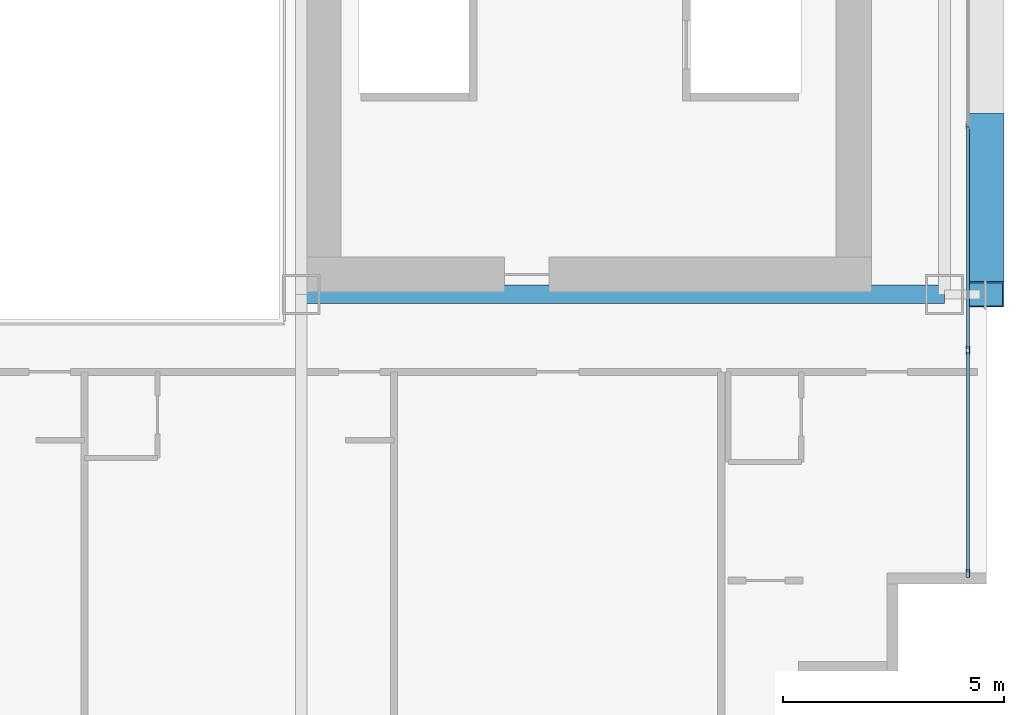
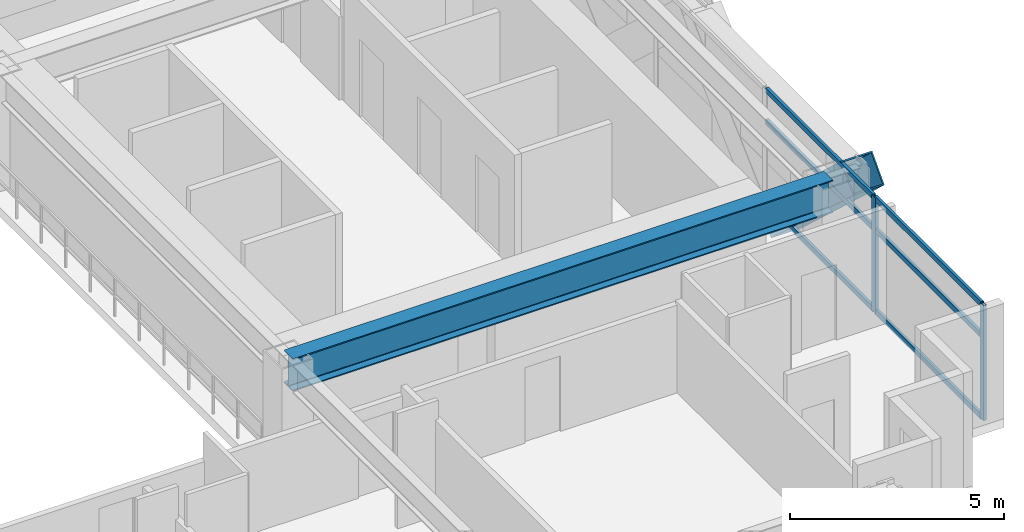
# One storey, part 11 of 35: 9 members, 1 beam, 1 element without a shape of its own.
"""IFC4 building model written with IfcOpenShell, lengths in metres."""

from ifc_helpers import new_model, si_unit, direction, frame, origin, origin_2d, place, context, subcontext, project, spatial, hollow_rectangle, i_section, extrude, source, transform, mapped, material, layer, layer_set, material_profile, profile_set, type_object, element, aggregate, save


model = new_model("IFC4")

# Units and contexts
model_context = context("Model", 3, precision=1e-05, world=origin(), true_north=direction((0.0, 1.0)))
body_context = subcontext(model_context, "Body", "Model", "MODEL_VIEW")
ifc_project = project(units=[si_unit("LENGTHUNIT", "METRE"), si_unit("AREAUNIT", "SQUARE_METRE"), si_unit("VOLUMEUNIT", "CUBIC_METRE"), si_unit("PLANEANGLEUNIT", "RADIAN"), si_unit("MASSUNIT", "GRAM", prefix="KILO")], contexts=[model_context])

# Site, building, storey
site_placement = place(None, origin())
site = spatial("IfcSite", under=ifc_project, at=site_placement, CompositionType="ELEMENT")
building_placement = place(site_placement, origin())
building = spatial("IfcBuilding", under=site, at=building_placement, Name="Ocotamira Hotel", CompositionType="ELEMENT")
storey_placement = place(building_placement, frame((0.0, 0.0, 81.60009765625)))
storey = spatial("IfcBuildingStorey", under=building, at=storey_placement, Name="L20", CompositionType="ELEMENT", Elevation=81.60009765625)

# Beam
ifc_material_1 = material(Name="Steel ASTM A992 Grade 50", Category="steel")
ifc_material_profile_1 = material_profile(ifc_material_1, i_section(OverallWidth=0.41796875, OverallDepth=0.927001953125, WebThickness=0.019287109375, FlangeThickness=0.031982421875, FilletRadius=0.02392578125, at=origin_2d()), Name="W36X231")
ifc_profile_set_1 = profile_set([ifc_material_profile_1], Name="Steel ASTM A992 Grade 50")
beam_type = type_object("IfcBeamType", Name="BM-GIRD-W36X231", PredefinedType="BEAM", material=ifc_profile_set_1)
shared_shape_1 = source(origin(), body_context, "Body", "SweptSolid", [
    extrude(i_section(OverallWidth=0.41796875, OverallDepth=0.927001953125, WebThickness=0.019287109375, FlangeThickness=0.031982421875, FilletRadius=0.02392578125, at=origin_2d()), origin(), (0.0, 0.0, 1.0), 14.550048828125),
])
beam_placement = place(storey_placement, frame((40.5, 14.550048828125, 2.81640625), z_axis=(1.0, 0.0, 0.0), x_axis=(0.0, 1.0, 0.0)))
element("IfcBeam", 1, at=beam_placement, inside=storey, type_object=beam_type, Name="L20 Girder Y14.55 X40.5-55.05", PredefinedType="BEAM", context=body_context, shape_type="MappedRepresentation", body=[
    mapped(shared_shape_1, transform((0.0, 0.0, 0.0), scale=1.0)),
])

# Member
ifc_material_2 = material(Name="Pale-metal coated steel ASTM A913 Grade 65", Category="steel")
ifc_material_profile_2 = material_profile(ifc_material_2, hollow_rectangle(XDim=0.85009765625, YDim=0.85009765625, WallThickness=0.035888671875, at=origin_2d()), Name="BOX850X850X36")
ifc_profile_set_2 = profile_set([ifc_material_profile_2], Name="Pale-metal coated steel ASTM A913 Grade 65")
member_type_1 = type_object("IfcMemberType", Name="MEM-EXO-BOX850", PredefinedType="BRACE", material=ifc_profile_set_2)
shared_shape_2 = source(origin(), body_context, "Body", "SweptSolid", [
    extrude(hollow_rectangle(XDim=0.85009765625, YDim=0.85009765625, WallThickness=0.035888671875, at=origin_2d()), origin(), (0.0, 0.0, 1.0), 5.19873046875),
])
member_1_placement = place(storey_placement, frame((55.969970703125, 18.36669921875, -0.5), z_axis=(0.0, -0.734158546733, 0.67897807642), x_axis=(1.0, 0.0, 0.0)))
element("IfcMember", 2, at=member_1_placement, inside=storey, type_object=member_type_1, Name="L20 Exoskeleton Diagrid E0.1", PredefinedType="BRACE", context=body_context, shape_type="MappedRepresentation", body=[
    mapped(shared_shape_2, transform((0.0, 0.0, 0.0), scale=1.0)),
])

# Curtain wall, members
ifc_material_3 = material(Name="Anodised pale-metal aluminium and solar glass", Category="aluminium")
ifc_layer = layer(ifc_material_3, 0.179931640625)
ifc_layer_set = layer_set([ifc_layer], Name="Anodised pale-metal aluminium and solar glass")
curtain_wall_type = type_object("IfcCurtainWallType", Name="CW-SYS2-Z1", PredefinedType="NOTDEFINED", material=ifc_layer_set)
curtain_wall_placement = place(storey_placement, origin())
curtain_wall = element("IfcCurtainWall", 3, at=curtain_wall_placement, inside=storey, type_object=curtain_wall_type, Name="L20 Curtain Wall CW-2 CW-L20-E", PredefinedType="NOTDEFINED")
ifc_material_4 = material(Name="Anodised pale-metal aluminium 6063-T6", Category="aluminium")
ifc_material_profile_3 = material_profile(ifc_material_4, hollow_rectangle(XDim=0.074951171875, YDim=0.14990234375, WallThickness=0.006103515625, at=origin_2d()), Name="HSS150X75X6")
ifc_profile_set_3 = profile_set([ifc_material_profile_3], Name="Anodised pale-metal aluminium 6063-T6")
member_type_2 = type_object("IfcMemberType", Name="CWT-150X75", PredefinedType="USERDEFINED", material=ifc_profile_set_3)
shared_shape_3 = source(origin(), body_context, "Body", "SweptSolid", [
    extrude(hollow_rectangle(XDim=0.074951171875, YDim=0.14990234375, WallThickness=0.006103515625, at=origin_2d()), origin(), (0.0, 0.0, 1.0), 4.965576171875),
])
member_2_placement = place(storey_placement, frame((55.580078125, 8.280029296875, 0.037353515625), z_axis=(0.0, 1.0, 0.0), x_axis=(-1.0, 0.0, 0.0)))
member_2 = element("IfcMember", 4, at=member_2_placement, type_object=member_type_2, Name="CW-2 transom 1.1", ObjectType="TRANSOM", PredefinedType="USERDEFINED", context=body_context, shape_type="MappedRepresentation", body=[
    mapped(shared_shape_3, transform((0.0, 0.0, 0.0), scale=1.0)),
])
member_3_placement = place(storey_placement, frame((55.580078125, 8.280029296875, 2.349853515625), z_axis=(0.0, 1.0, 0.0), x_axis=(-1.0, 0.0, 0.0)))
member_3 = element("IfcMember", 5, at=member_3_placement, type_object=member_type_2, Name="CW-2 transom 1.2", ObjectType="TRANSOM", PredefinedType="USERDEFINED", context=body_context, shape_type="MappedRepresentation", body=[
    mapped(shared_shape_3, transform((0.0, 0.0, 0.0), scale=1.0)),
])
member_4_placement = place(storey_placement, frame((55.580078125, 8.280029296875, 3.242431640625), z_axis=(0.0, 1.0, 0.0), x_axis=(-1.0, 0.0, 0.0)))
member_4 = element("IfcMember", 6, at=member_4_placement, type_object=member_type_2, Name="CW-2 transom 1.3", ObjectType="TRANSOM", PredefinedType="USERDEFINED", context=body_context, shape_type="MappedRepresentation", body=[
    mapped(shared_shape_3, transform((0.0, 0.0, 0.0), scale=1.0)),
])
shared_shape_4 = source(origin(), body_context, "Body", "SweptSolid", [
    extrude(hollow_rectangle(XDim=0.074951171875, YDim=0.14990234375, WallThickness=0.006103515625, at=origin_2d()), origin(), (0.0, 0.0, 1.0), 5.005859375),
])
member_5_placement = place(storey_placement, frame((55.580078125, 13.32568359375, 0.037353515625), z_axis=(0.0, 1.0, 0.0), x_axis=(-1.0, 0.0, 0.0)))
member_5 = element("IfcMember", 7, at=member_5_placement, type_object=member_type_2, Name="CW-2 transom 2.1", ObjectType="TRANSOM", PredefinedType="USERDEFINED", context=body_context, shape_type="MappedRepresentation", body=[
    mapped(shared_shape_4, transform((0.0, 0.0, 0.0), scale=1.0)),
])
member_6_placement = place(storey_placement, frame((55.580078125, 13.32568359375, 2.349853515625), z_axis=(0.0, 1.0, 0.0), x_axis=(-1.0, 0.0, 0.0)))
member_6 = element("IfcMember", 8, at=member_6_placement, type_object=member_type_2, Name="CW-2 transom 2.2", ObjectType="TRANSOM", PredefinedType="USERDEFINED", context=body_context, shape_type="MappedRepresentation", body=[
    mapped(shared_shape_4, transform((0.0, 0.0, 0.0), scale=1.0)),
])
member_7_placement = place(storey_placement, frame((55.580078125, 13.32568359375, 3.242431640625), z_axis=(0.0, 1.0, 0.0), x_axis=(-1.0, 0.0, 0.0)))
member_7 = element("IfcMember", 9, at=member_7_placement, type_object=member_type_2, Name="CW-2 transom 2.3", ObjectType="TRANSOM", PredefinedType="USERDEFINED", context=body_context, shape_type="MappedRepresentation", body=[
    mapped(shared_shape_4, transform((0.0, 0.0, 0.0), scale=1.0)),
])
ifc_material_profile_4 = material_profile(ifc_material_4, hollow_rectangle(XDim=0.080078125, YDim=0.179931640625, WallThickness=0.006103515625, at=origin_2d()), Name="HSS180X80X6")
ifc_profile_set_4 = profile_set([ifc_material_profile_4], Name="Anodised pale-metal aluminium 6063-T6")
member_type_3 = type_object("IfcMemberType", Name="CWM-180X75", PredefinedType="MULLION", material=ifc_profile_set_4)
shared_shape_5 = source(origin(), body_context, "Body", "SweptSolid", [
    extrude(hollow_rectangle(XDim=0.080078125, YDim=0.179931640625, WallThickness=0.006103515625, at=origin_2d()), origin(), (0.0, 0.0, 1.0), 3.27978515625),
])
member_8_placement = place(storey_placement, frame((55.580078125, 8.239990234375, 0.0), z_axis=(0.0, 0.0, 1.0), x_axis=(-1.0, 0.0, 0.0)))
member_8 = element("IfcMember", 10, at=member_8_placement, type_object=member_type_3, Name="CW-2 mullion 1", PredefinedType="MULLION", context=body_context, shape_type="MappedRepresentation", body=[
    mapped(shared_shape_5, transform((0.0, 0.0, 0.0), scale=1.0)),
])
member_9_placement = place(storey_placement, frame((55.580078125, 13.28564453125, 0.0), z_axis=(0.0, 0.0, 1.0), x_axis=(-1.0, 0.0, 0.0)))
member_9 = element("IfcMember", 11, at=member_9_placement, type_object=member_type_3, Name="CW-2 mullion 2", PredefinedType="MULLION", context=body_context, shape_type="MappedRepresentation", body=[
    mapped(shared_shape_5, transform((0.0, 0.0, 0.0), scale=1.0)),
])
aggregate(curtain_wall, [member_8, member_9, member_2, member_3, member_4, member_5, member_6, member_7])

save(model, "model.ifc")
